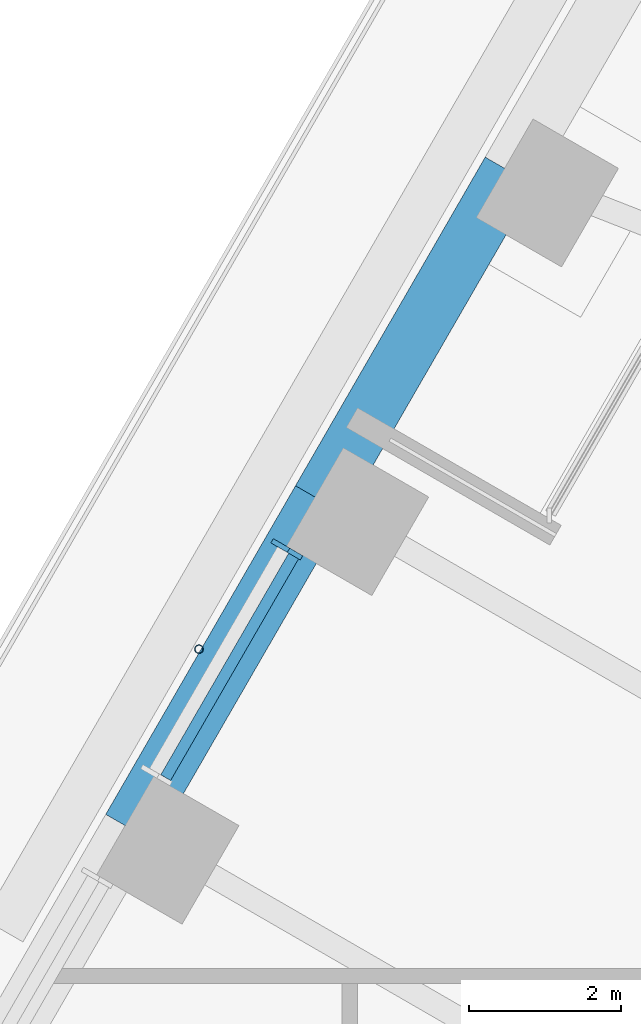
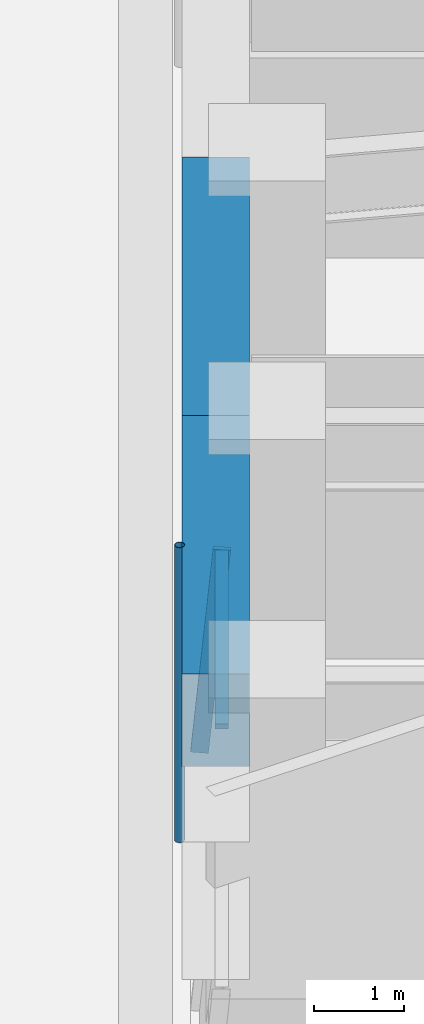
# One storey, part 7 of 24: 3 members, 2 beams, 1 element without a shape of its own.
"""IFC4 building model written with IfcOpenShell, lengths in metres."""

from ifc_helpers import new_model, si_unit, direction, frame, origin, origin_2d, place, context, subcontext, project, spatial, rectangle, hollow_circle, extrude, material, material_profile, profile_set, type_object, element, aggregate, save


model = new_model("IFC4")

# Units and contexts
model_context = context("Model", 3, precision=1e-05, world=origin(), true_north=direction((0.0, 1.0)))
body_context = subcontext(model_context, "Body", "Model", "MODEL_VIEW")
ifc_project = project(units=[si_unit("LENGTHUNIT", "METRE"), si_unit("AREAUNIT", "SQUARE_METRE"), si_unit("VOLUMEUNIT", "CUBIC_METRE"), si_unit("PLANEANGLEUNIT", "RADIAN"), si_unit("MASSUNIT", "GRAM", prefix="KILO")], contexts=[model_context])

# Site, building, storey
site_placement = place(None, origin())
site = spatial("IfcSite", under=ifc_project, at=site_placement, CompositionType="ELEMENT")
building_placement = place(site_placement, origin())
building = spatial("IfcBuilding", under=site, at=building_placement, Name="Tarfa Lantern Tower", CompositionType="ELEMENT")
storey_placement = place(building_placement, frame((0.0, 0.0, 190.89990234375)))
storey = spatial("IfcBuildingStorey", under=building, at=storey_placement, Name="L43", CompositionType="ELEMENT", Elevation=190.89990234375)

# Curtain wall, members
ifc_material_1 = material(Name="Aluminium framed curtain wall", Category="aluminium")
curtain_wall_type = type_object("IfcCurtainWallType", Name="CW2 CANTED GLAZING MID ZONE 2750", PredefinedType="USERDEFINED", material=ifc_material_1)
curtain_wall_placement = place(storey_placement, origin())
curtain_wall = element("IfcCurtainWall", 1, at=curtain_wall_placement, inside=storey, type_object=curtain_wall_type, Name="CW2 NWB L43", ObjectType="CURTAIN WALL", PredefinedType="USERDEFINED")
ifc_material_2 = material(Name="Aluminium mullion", Category="aluminium")
ifc_material_profile_1 = material_profile(ifc_material_2, rectangle(XDim=0.06494140625, YDim=0.199951171875, at=origin_2d()), Name="AL MULLION 65x200")
ifc_profile_set_1 = profile_set([ifc_material_profile_1], Name="Aluminium mullion")
member_type_1 = type_object("IfcMemberType", Name="CWM1 MULLION 65x200", PredefinedType="MULLION", material=ifc_profile_set_1)
member_1_placement = place(storey_placement, frame((-30.086181640625, 10.68896484375, 0.0), z_axis=(0.078335079308, -0.045268127094, 0.995898796073), x_axis=(0.500342721131, 0.865827443207, 0.0)))
member_1 = element("IfcMember", 2, at=member_1_placement, type_object=member_type_1, Name="CW2 mullion 1", PredefinedType="MULLION", context=body_context, shape_type="SweptSolid", body=[
    extrude(rectangle(XDim=0.06494140625, YDim=0.199951171875, at=origin_2d()), origin(), (0.0, 0.0, 1.0), 2.76123046875),
])
ifc_material_3 = material(Name="Aluminium transom", Category="aluminium")
ifc_material_profile_2 = material_profile(ifc_material_3, rectangle(XDim=0.14990234375, YDim=0.06494140625, at=origin_2d()), Name="AL TRANSOM 150x65")
ifc_profile_set_2 = profile_set([ifc_material_profile_2], Name="Aluminium transom")
member_type_2 = type_object("IfcMemberType", Name="CWT1 TRANSOM 150x65", PredefinedType="USERDEFINED", material=ifc_profile_set_2)
member_2_placement = place(storey_placement, frame((-29.888671875, 10.537353515625, 2.717529296875), z_axis=(-0.499991822116, -0.866030125237, 0.0), x_axis=(0.866030125237, -0.499991822116, 0.0)))
member_2 = element("IfcMember", 3, at=member_2_placement, type_object=member_type_2, Name="CW2 transom 1.2", ObjectType="TRANSOM", PredefinedType="USERDEFINED", context=body_context, shape_type="SweptSolid", body=[
    extrude(rectangle(XDim=0.14990234375, YDim=0.06494140625, at=origin_2d()), origin(), (0.0, 0.0, 1.0), 3.37353515625),
])
aggregate(curtain_wall, [member_1, member_2])

# Beams
ifc_material_4 = material(Name="Concrete C80/95", Category="concrete")
ifc_material_profile_3 = material_profile(ifc_material_4, rectangle(XDim=0.75, YDim=1.25, at=origin_2d()), Name="RC 750x1250")
ifc_profile_set_3 = profile_set([ifc_material_profile_3], Name="Concrete C80/95")
beam_type = type_object("IfcBeamType", Name="EB2 RC 750x1250", PredefinedType="SPANDREL", material=ifc_profile_set_3)
for number, where, z_axis, x_axis, name in (
    (4, (-27.037353515625, 15.610107421875, 3.375), (-0.499964603504, -0.866045838996, 0.0), (0.866045838996, -0.499964603504, 0.0), "Edge beam NW3"),
    (5, (-29.5390625, 11.276611328125, 3.375), (-0.500022324899, -0.866012514114, 0.0), (0.866012514114, -0.500022324899, 0.0), "Edge beam NW4"),
):
    element("IfcBeam", number, at=place(storey_placement, frame(where, z_axis=z_axis, x_axis=x_axis)), inside=storey, type_object=beam_type, Name=name, PredefinedType="SPANDREL", context=body_context, shape_type="SweptSolid", body=[
        extrude(rectangle(XDim=0.75, YDim=1.25, at=origin_2d()), origin(), (0.0, 0.0, 1.0), 5.003662109375),
    ])

# Member
ifc_material_5 = material(Name="Steel S355", Category="steel")
ifc_material_profile_4 = material_profile(ifc_material_5, hollow_circle(Radius=0.05712890625, WallThickness=0.00634765625, at=origin_2d()), Name="CHS114.3x6.3")
ifc_profile_set_4 = profile_set([ifc_material_profile_4], Name="Steel S355")
member_type_3 = type_object("IfcMemberType", Name="TR1 GREEN WALL TRELLIS CHS114.3x6.3", PredefinedType="USERDEFINED", material=ifc_profile_set_4)
member_3_placement = place(storey_placement, frame((-31.136474609375, 9.31005859375, 0.0), z_axis=(0.0, 0.0, 1.0), x_axis=(1.0, 0.0, 0.0)))
element("IfcMember", 6, at=member_3_placement, inside=storey, type_object=member_type_3, Name="Trellis post NW 2", ObjectType="TRELLIS", PredefinedType="USERDEFINED", context=body_context, shape_type="SweptSolid", body=[
    extrude(hollow_circle(Radius=0.05712890625, WallThickness=0.00634765625, at=origin_2d()), origin(), (0.0, 0.0, 1.0), 4.0),
])

save(model, "model.ifc")
